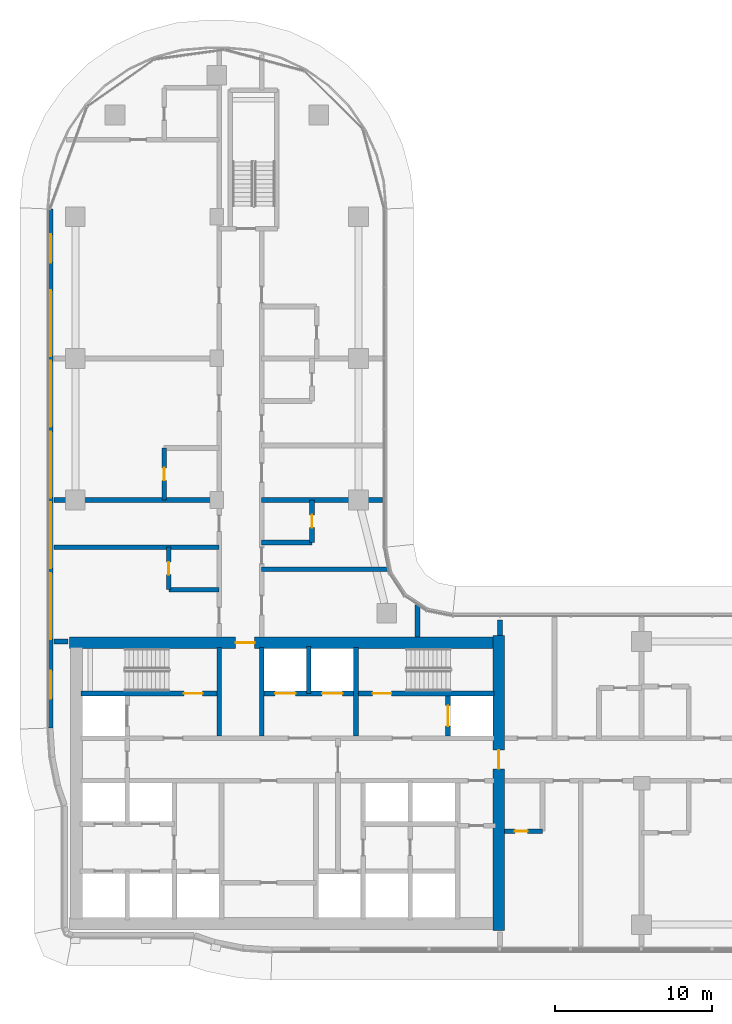
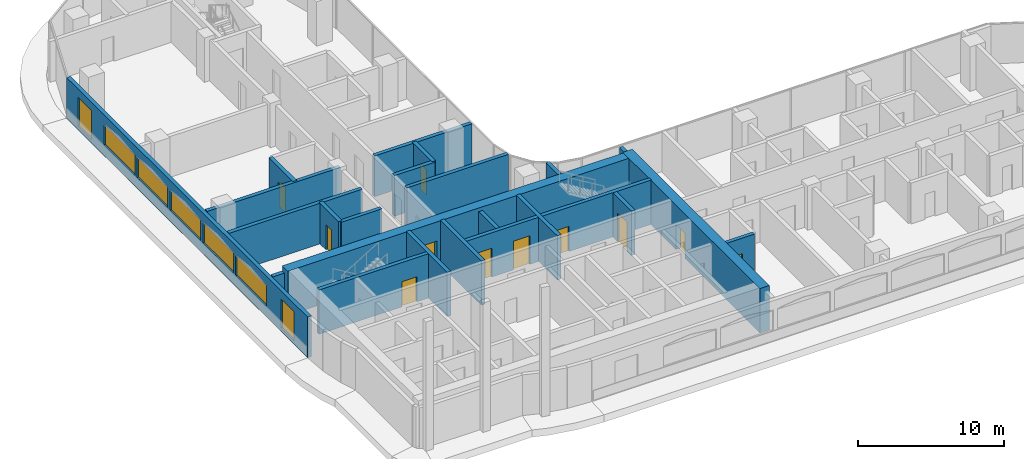
# One storey, part 10 of 25: 23 walls, 11 doors, 7 windows, 18 openings.
"""IFC4 building model written with IfcOpenShell, lengths in metres."""

import ifcopenshell
import ifcopenshell.guid

model = None  # the IFC model being written
_history = None  # IfcOwnerHistory: only IFC2X3 demands one
_inside = {}  # id of a spatial element -> (the spatial element, [elements in it])
_under = {}  # id of a project, library or spatial element -> (it, [spatial elements below it])
_declared = {}  # id of a project -> (the project, [libraries it declares])
_typed = {}  # id of a type object -> (the type object, [elements of that type])
_made_of = {}  # id of a material, layer set ... -> (it, [elements and type objects made of it])


def new_model(schema):
    """Start an empty IFC model of exactly this schema.

    Asked for "IFC4X3", IfcOpenShell would pick the latest addendum, in which some entities
    have other attributes; the version numbers below select the first issue.
    IFC2X3 requires an IfcOwnerHistory on every rooted entity: one is made here for all.
    """
    global model, _history
    if schema == "IFC4X3":
        model = ifcopenshell.file(schema_version=(4, 3, 0, 0))
    else:
        model = ifcopenshell.file(schema=schema)
    _inside.clear()
    _under.clear()
    _declared.clear()
    _typed.clear()
    _made_of.clear()
    _history = None
    if model.schema == "IFC2X3":
        org = make("IfcOrganization", Name="unknown")
        user = make(
            "IfcPersonAndOrganization",
            ThePerson=make("IfcPerson", FamilyName="unknown"),
            TheOrganization=org,
        )
        app = make(
            "IfcApplication",
            ApplicationDeveloper=org,
            Version="unknown",
            ApplicationFullName="unknown",
            ApplicationIdentifier="unknown",
        )
        _history = make(
            "IfcOwnerHistory",
            OwningUser=user,
            OwningApplication=app,
            ChangeAction="ADDED",
            CreationDate=0,
        )
    return model


def make(cls, **values):
    """One entity of the class cls with the attributes given. An attribute that is None is left unset."""
    return model.create_entity(
        cls, **{name: value for name, value in values.items() if value is not None}
    )


def rooted(cls, **values):
    """An entity with a GlobalId (a new one), such as an element, a storey or a relation."""
    return make(cls, GlobalId=ifcopenshell.guid.new(), OwnerHistory=_history, **values)


def si_unit(unit_type, name, prefix=None):
    """IfcSIUnit, for example si_unit("LENGTHUNIT", "METRE", prefix="MILLI")."""
    return make("IfcSIUnit", UnitType=unit_type, Prefix=prefix, Name=name)


def assignment(units):
    """IfcUnitAssignment: the units of a project."""
    return None if units is None else make("IfcUnitAssignment", Units=units)


def point(xyz):
    """IfcCartesianPoint."""
    return None if xyz is None else make("IfcCartesianPoint", Coordinates=xyz)


def direction(xyz):
    """IfcDirection."""
    return None if xyz is None else make("IfcDirection", DirectionRatios=xyz)


def frame(location, z_axis=None, x_axis=None):
    """IfcAxis2Placement3D, a coordinate frame: its origin and axes. An axis left out is left unset."""
    return make(
        "IfcAxis2Placement3D",
        Location=point(location),
        Axis=direction(z_axis),
        RefDirection=direction(x_axis),
    )


def frame_2d(location, x_axis=None):
    """IfcAxis2Placement2D, a coordinate frame in the plane: its origin and x axis."""
    return make(
        "IfcAxis2Placement2D", Location=point(location), RefDirection=direction(x_axis)
    )


def origin():
    """The frame at (0, 0, 0) with its axes left unset."""
    return frame((0.0, 0.0, 0.0))


def place(relative_to, where):
    """IfcLocalPlacement: puts the frame where relative to a parent placement (None: the world)."""
    return make(
        "IfcLocalPlacement", PlacementRelTo=relative_to, RelativePlacement=where
    )


def context(
    kind, dimensions, precision=None, world=None, true_north=None, identifier=None
):
    """IfcGeometricRepresentationContext, for example the 3D "Model" context."""
    return make(
        "IfcGeometricRepresentationContext",
        ContextIdentifier=identifier,
        ContextType=kind,
        CoordinateSpaceDimension=dimensions,
        Precision=precision,
        WorldCoordinateSystem=world,
        TrueNorth=true_north,
    )


def subcontext(parent, identifier, kind, view, scale=None):
    """IfcGeometricRepresentationSubContext, for example "Body" below "Model"."""
    return make(
        "IfcGeometricRepresentationSubContext",
        ContextIdentifier=identifier,
        ContextType=kind,
        ParentContext=parent,
        TargetScale=scale,
        TargetView=view,
    )


def project(units=None, contexts=None):
    """IfcProject with its units and contexts."""
    return rooted(
        "IfcProject",
        Name="project",
        RepresentationContexts=contexts,
        UnitsInContext=assignment(units),
    )


def spatial(cls, under=None, at=None, **own):
    """A site, building, storey or space (cls), placed at a placement, below another one or the project."""
    s = rooted(cls, ObjectPlacement=at, **own)
    if under is not None:
        _under.setdefault(under.id(), (under, []))[1].append(s)
    return s


def profile(cls, at=None, kind="AREA", **sizes):
    """A parametric profile (cls). Its sizes go by their IFC names, for example OverallWidth=200.0."""
    return make(cls, ProfileType=kind, Position=at, **sizes)


def rectangle(**sizes):
    """IfcRectangleProfileDef."""
    return profile("IfcRectangleProfileDef", **sizes)


def extrude(swept, where, along, depth):
    """IfcExtrudedAreaSolid: the profile swept, set in the frame where, extruded along a direction by depth."""
    return make(
        "IfcExtrudedAreaSolid",
        SweptArea=swept,
        Position=where,
        ExtrudedDirection=direction(along),
        Depth=depth,
    )


def shape(context_of_items, identifier, shape_type, items):
    """IfcShapeRepresentation: the items that make up one representation, for example the "Body"."""
    return make(
        "IfcShapeRepresentation",
        ContextOfItems=context_of_items,
        RepresentationIdentifier=identifier,
        RepresentationType=shape_type,
        Items=items,
    )


def material(Name=None, Category=None):
    """IfcMaterial."""
    return make("IfcMaterial", Name=Name, Category=Category)


def layer(
    of_material, thickness, ventilated=None, Name=None, Category=None, Priority=None
):
    """IfcMaterialLayer: one layer of a wall or slab, of a material (None: an air gap)."""
    return make(
        "IfcMaterialLayer",
        Material=of_material,
        LayerThickness=thickness,
        IsVentilated=ventilated,
        Name=Name,
        Category=Category,
        Priority=Priority,
    )


def layer_set(layers, Name=None):
    """IfcMaterialLayerSet."""
    return make("IfcMaterialLayerSet", MaterialLayers=layers, LayerSetName=Name)


def made_of(thing, what):
    """Note that an element or type object is made of a material, layer set ...; save() writes the relation."""
    if what is not None:
        _made_of.setdefault(what.id(), (what, []))[1].append(thing)
    return thing


def type_object(cls, material=None, **own):
    """A type object (cls), such as IfcWallType, which elements share."""
    return made_of(rooted(cls, **own), material)


def element(
    cls,
    number,
    at=None,
    inside=None,
    cuts=None,
    type_object=None,
    material=None,
    context=None,
    identifier="Body",
    shape_type=None,
    held_by="IfcProductDefinitionShape",
    body=None,
    shapes=None,
    **own,
):
    """One element of the class cls, such as IfcWall. Its Tag is "e" and its number.

    at: its placement. inside: the storey or other place that contains it. cuts: it is an
    opening in that element (IfcRelVoidsElement). A single representation is given by context,
    identifier, shape_type and body (its items); several are given by shapes. held_by: the class
    of the entity that holds the representations. save() writes the other relations.
    """
    e = rooted(cls, Tag="e%d" % number, ObjectPlacement=at, **own)
    if body is not None:
        shapes = [shape(context, identifier, shape_type, body)]
    if shapes is not None:
        e.Representation = make(held_by, Representations=shapes)
    if inside is not None:
        _inside.setdefault(inside.id(), (inside, []))[1].append(e)
    if cuts is not None:
        rooted(
            "IfcRelVoidsElement", RelatingBuildingElement=cuts, RelatedOpeningElement=e
        )
    if type_object is not None:
        _typed.setdefault(type_object.id(), (type_object, []))[1].append(e)
    return made_of(e, material)


def fill(opening, filler):
    """IfcRelFillsElement: the door or window that sits in an opening."""
    return rooted(
        "IfcRelFillsElement",
        RelatingOpeningElement=opening,
        RelatedBuildingElement=filler,
    )


def aggregate(whole, parts):
    """IfcRelAggregates: a whole, such as a stair, and the parts it consists of."""
    return rooted("IfcRelAggregates", RelatingObject=whole, RelatedObjects=parts)


def save(model, path):
    """Write the relations noted so far, then the file.

    IfcRelAggregates (storeys below a building ...), IfcRelContainedInSpatialStructure (elements
    in a storey), IfcRelDefinesByType, IfcRelAssociatesMaterial and IfcRelDeclares: one each for
    every whole, place, type object, material and project.
    """
    for whole, parts in _under.values():
        aggregate(whole, parts)
    for where, things in _inside.values():
        rooted(
            "IfcRelContainedInSpatialStructure",
            RelatedElements=things,
            RelatingStructure=where,
        )
    for kind, things in _typed.values():
        rooted("IfcRelDefinesByType", RelatedObjects=things, RelatingType=kind)
    for what, things in _made_of.values():
        rooted("IfcRelAssociatesMaterial", RelatedObjects=things, RelatingMaterial=what)
    for by, libraries in _declared.values():
        rooted("IfcRelDeclares", RelatingContext=by, RelatedDefinitions=libraries)
    model.write(path)


model = new_model("IFC4")

# Units and contexts
model_context = context("Model", 3, precision=1e-05, world=origin(), true_north=direction((0.0, 1.0)))
body_context = subcontext(model_context, "Body", "Model", "MODEL_VIEW")
ifc_project = project(units=[si_unit("LENGTHUNIT", "METRE"), si_unit("AREAUNIT", "SQUARE_METRE"), si_unit("VOLUMEUNIT", "CUBIC_METRE"), si_unit("PLANEANGLEUNIT", "RADIAN"), si_unit("MASSUNIT", "GRAM", prefix="KILO")], contexts=[model_context])

# Site, building, storey
site_placement = place(None, origin())
site = spatial("IfcSite", under=ifc_project, at=site_placement, CompositionType="ELEMENT")
building_placement = place(site_placement, origin())
building = spatial("IfcBuilding", under=site, at=building_placement, Name="Ogive Portal Towers", CompositionType="ELEMENT")
storey_placement = place(building_placement, frame((0.0, 0.0, 124.10009765625)))
storey = spatial("IfcBuildingStorey", under=building, at=storey_placement, Name="L30", CompositionType="ELEMENT", Elevation=124.10009765625)

# Wall, opening, door
ifc_material_1 = material(Name="Concrete C60/75", Category="concrete")
ifc_layer_1 = layer(ifc_material_1, 0.300048828125)
ifc_layer_set_1 = layer_set([ifc_layer_1], Name="CORE WALL 300 C60")
wall_type_1 = type_object("IfcWallType", Name="CORE WALL 300 C60", PredefinedType="SHEAR", material=ifc_layer_set_1)
wall_1_placement = place(storey_placement, frame((31.875, 36.199951171875, 0.0), z_axis=(0.0, 0.0, 1.0), x_axis=(1.0, 0.0, 0.0)))
wall_1 = element("IfcWall", 1, at=wall_1_placement, inside=storey, type_object=wall_type_1, Name="Core wall Y3a L30", PredefinedType="SHEAR", context=body_context, shape_type="SweptSolid", body=[
    extrude(rectangle(XDim=8.625, YDim=0.300048828125, at=frame_2d((4.3125, 0.0))), origin(), (0.0, 0.0, 1.0), 3.699951171875),
])
opening_1_placement = place(wall_1_placement, frame((6.52490234375, 0.0, 0.0)))
opening_1 = element("IfcOpeningElement", 2, at=opening_1_placement, cuts=wall_1, Name="Opening D11-006", PredefinedType="OPENING", context=body_context, shape_type="SweptSolid", body=[
    extrude(rectangle(XDim=1.199951171875, YDim=2.10009765625, at=frame_2d((0.60009765625, 1.050048828125))), frame((0.0, 0.16015625, 0.0), z_axis=(0.0, -1.0, 0.0), x_axis=(1.0, 0.0, 0.0)), (0.0, 0.0, 1.0), 0.320068359375),
])
ifc_material_2 = material(Name="Steel fire door", Category="steel")
door_type_1 = type_object("IfcDoorType", Name="DT-SWING-1200x2100-FD90S", OperationType="SINGLE_SWING_LEFT", PredefinedType="DOOR", material=ifc_material_2)
door_1_placement = place(opening_1_placement, origin())
door_1 = element("IfcDoor", 3, at=door_1_placement, inside=storey, type_object=door_type_1, Name="Door D11-006", OperationType="SINGLE_SWING_RIGHT", OverallHeight=2.10009765625, OverallWidth=1.199951171875, PredefinedType="DOOR", context=body_context, shape_type="SweptSolid", body=[
    extrude(rectangle(XDim=1.199951171875, YDim=2.10009765625, at=frame_2d((0.60009765625, 1.050048828125))), frame((0.0, 0.02490234375, 0.0), z_axis=(0.0, -1.0, 0.0), x_axis=(1.0, 0.0, 0.0)), (0.0, 0.0, 1.0), 0.050048828125),
])
fill(opening_1, door_1)

# Wall, openings, doors
wall_2_placement = place(storey_placement, frame((43.5, 36.199951171875, 0.0), z_axis=(0.0, 0.0, 1.0), x_axis=(1.0, 0.0, 0.0)))
wall_2 = element("IfcWall", 4, at=wall_2_placement, inside=storey, type_object=wall_type_1, Name="Core wall Y3b L30", PredefinedType="SHEAR", context=body_context, shape_type="SweptSolid", body=[
    extrude(rectangle(XDim=14.625, YDim=0.300048828125, at=frame_2d((7.3125, 0.0))), origin(), (0.0, 0.0, 1.0), 3.699951171875),
])
opening_2_placement = place(wall_2_placement, frame((6.89990234375, 0.0, 0.0)))
opening_2 = element("IfcOpeningElement", 5, at=opening_2_placement, cuts=wall_2, Name="Opening D11-007", PredefinedType="OPENING", context=body_context, shape_type="SweptSolid", body=[
    extrude(rectangle(XDim=1.199951171875, YDim=2.10009765625, at=frame_2d((0.60009765625, 1.050048828125))), frame((0.0, 0.16015625, 0.0), z_axis=(0.0, -1.0, 0.0), x_axis=(1.0, 0.0, 0.0)), (0.0, 0.0, 1.0), 0.320068359375),
])
opening_3_placement = place(wall_2_placement, frame((0.699951171875, 0.0, 0.0)))
opening_3 = element("IfcOpeningElement", 6, at=opening_3_placement, cuts=wall_2, Name="Opening D11-018", PredefinedType="OPENING", context=body_context, shape_type="SweptSolid", body=[
    extrude(rectangle(XDim=1.300048828125, YDim=2.39990234375, at=frame_2d((0.64990234375, 1.199951171875))), frame((0.0, 0.16015625, 0.0), z_axis=(0.0, -1.0, 0.0), x_axis=(1.0, 0.0, 0.0)), (0.0, 0.0, 1.0), 0.320068359375),
])
opening_4_placement = place(wall_2_placement, frame((3.699951171875, 0.0, 0.0)))
opening_4 = element("IfcOpeningElement", 7, at=opening_4_placement, cuts=wall_2, Name="Opening D11-019", PredefinedType="OPENING", context=body_context, shape_type="SweptSolid", body=[
    extrude(rectangle(XDim=1.300048828125, YDim=2.39990234375, at=frame_2d((0.64990234375, 1.199951171875))), frame((0.0, 0.16015625, 0.0), z_axis=(0.0, -1.0, 0.0), x_axis=(1.0, 0.0, 0.0)), (0.0, 0.0, 1.0), 0.320068359375),
])
ifc_material_3 = material(Name="Stainless steel", Category="steel")
door_type_2 = type_object("IfcDoorType", Name="DT-LD-1300x2400", OperationType="SLIDING_TO_LEFT", PredefinedType="DOOR", material=ifc_material_3)
door_2_placement = place(opening_3_placement, origin())
door_2 = element("IfcDoor", 8, at=door_2_placement, inside=storey, type_object=door_type_2, Name="Door D11-018", OperationType="SLIDING_TO_LEFT", OverallHeight=2.39990234375, OverallWidth=1.300048828125, PredefinedType="DOOR", context=body_context, shape_type="SweptSolid", body=[
    extrude(rectangle(XDim=1.300048828125, YDim=2.39990234375, at=frame_2d((0.64990234375, 1.199951171875))), frame((0.0, 0.02490234375, 0.0), z_axis=(0.0, -1.0, 0.0), x_axis=(1.0, 0.0, 0.0)), (0.0, 0.0, 1.0), 0.050048828125),
])
fill(opening_3, door_2)
door_3_placement = place(opening_4_placement, origin())
door_3 = element("IfcDoor", 9, at=door_3_placement, inside=storey, type_object=door_type_2, Name="Door D11-019", OperationType="SLIDING_TO_LEFT", OverallHeight=2.39990234375, OverallWidth=1.300048828125, PredefinedType="DOOR", context=body_context, shape_type="SweptSolid", body=[
    extrude(rectangle(XDim=1.300048828125, YDim=2.39990234375, at=frame_2d((0.64990234375, 1.199951171875))), frame((0.0, 0.02490234375, 0.0), z_axis=(0.0, -1.0, 0.0), x_axis=(1.0, 0.0, 0.0)), (0.0, 0.0, 1.0), 0.050048828125),
])
fill(opening_4, door_3)
door_4_placement = place(opening_2_placement, origin())
door_4 = element("IfcDoor", 10, at=door_4_placement, inside=storey, type_object=door_type_1, Name="Door D11-007", OperationType="SINGLE_SWING_LEFT", OverallHeight=2.10009765625, OverallWidth=1.199951171875, PredefinedType="DOOR", context=body_context, shape_type="SweptSolid", body=[
    extrude(rectangle(XDim=1.199951171875, YDim=2.10009765625, at=frame_2d((0.60009765625, 1.050048828125))), frame((0.0, 0.02490234375, 0.0), z_axis=(0.0, -1.0, 0.0), x_axis=(1.0, 0.0, 0.0)), (0.0, 0.0, 1.0), 0.050048828125),
])
fill(opening_2, door_4)

# Walls
for number, where, z_axis, x_axis, name in (
    (11, (40.64990234375, 33.5, 0.0), (0.0, 0.0, 1.0), (0.0, 1.0, 0.0), "Core wall X6 L30"),
    (12, (43.35009765625, 33.5, 0.0), (0.0, 0.0, 1.0), (0.0, 1.0, 0.0), "Core wall X7 L30"),
    (13, (49.35009765625, 33.5, 0.0), (0.0, 0.0, 1.0), (0.0, 1.0, 0.0), "Core wall X9 L30"),
):
    element("IfcWall", number, at=place(storey_placement, frame(where, z_axis=z_axis, x_axis=x_axis)), inside=storey, type_object=wall_type_1, Name=name, PredefinedType="SHEAR", context=body_context, shape_type="SweptSolid", body=[
        extrude(rectangle(XDim=5.625, YDim=0.300048828125, at=frame_2d((2.8125, 0.0))), origin(), (0.0, 0.0, 1.0), 3.699951171875),
    ])

# Wall, opening, door
wall_3_placement = place(storey_placement, frame((55.199951171875, 33.5, 0.0), z_axis=(0.0, 0.0, 1.0), x_axis=(0.0, 1.0, 0.0)))
wall_3 = element("IfcWall", 14, at=wall_3_placement, inside=storey, type_object=wall_type_1, Name="Core wall X10 L30", PredefinedType="SHEAR", context=body_context, shape_type="SweptSolid", body=[
    extrude(rectangle(XDim=2.550048828125, YDim=0.300048828125, at=frame_2d((1.27490234375, 0.0))), origin(), (0.0, 0.0, 1.0), 3.699951171875),
])
opening_5_placement = place(wall_3_placement, frame((0.625, 0.0, 0.0)))
opening_5 = element("IfcOpeningElement", 15, at=opening_5_placement, cuts=wall_3, Name="Opening D11-021", PredefinedType="OPENING", context=body_context, shape_type="SweptSolid", body=[
    extrude(rectangle(XDim=1.300048828125, YDim=2.39990234375, at=frame_2d((0.64990234375, 1.199951171875))), frame((0.0, 0.16015625, 0.0), z_axis=(0.0, -1.0, 0.0), x_axis=(1.0, 0.0, 0.0)), (0.0, 0.0, 1.0), 0.320068359375),
])
door_5_placement = place(opening_5_placement, origin())
door_5 = element("IfcDoor", 16, at=door_5_placement, inside=storey, type_object=door_type_2, Name="Door D11-021", OperationType="SLIDING_TO_LEFT", OverallHeight=2.39990234375, OverallWidth=1.300048828125, PredefinedType="DOOR", context=body_context, shape_type="SweptSolid", body=[
    extrude(rectangle(XDim=1.300048828125, YDim=2.39990234375, at=frame_2d((0.64990234375, 1.199951171875))), frame((0.0, 0.02490234375, 0.0), z_axis=(0.0, -1.0, 0.0), x_axis=(1.0, 0.0, 0.0)), (0.0, 0.0, 1.0), 0.050048828125),
])
fill(opening_5, door_5)

ifc_layer_2 = layer(ifc_material_1, 0.75)
ifc_layer_set_2 = layer_set([ifc_layer_2], Name="CORE WALL 750 C60")
wall_type_2 = type_object("IfcWallType", Name="CORE WALL 750 C60", PredefinedType="SHEAR", material=ifc_layer_set_2)
wall_4_placement = place(storey_placement, frame((58.425048828125, 21.125, 0.0), z_axis=(0.0, 0.0, 1.0), x_axis=(0.0, 1.0, 0.0)))
wall_4 = element("IfcWall", 17, at=wall_4_placement, inside=storey, type_object=wall_type_2, Name="Core wall E L30", PredefinedType="SHEAR", context=body_context, shape_type="SweptSolid", body=[
    extrude(rectangle(XDim=18.75, YDim=0.75, at=frame_2d((9.375, 0.0))), origin(), (0.0, 0.0, 1.0), 3.699951171875),
])
opening_6_placement = place(wall_4_placement, frame((10.27490234375, 0.0, 0.0)))
opening_6 = element("IfcOpeningElement", 18, at=opening_6_placement, cuts=wall_4, Name="Opening D11-012", PredefinedType="OPENING", context=body_context, shape_type="SweptSolid", body=[
    extrude(rectangle(XDim=1.199951171875, YDim=2.10009765625, at=frame_2d((0.60009765625, 1.050048828125))), frame((0.0, 0.385009765625, 0.0), z_axis=(0.0, -1.0, 0.0), x_axis=(1.0, 0.0, 0.0)), (0.0, 0.0, 1.0), 0.77001953125),
])
door_6_placement = place(opening_6_placement, origin())
door_6 = element("IfcDoor", 19, at=door_6_placement, inside=storey, type_object=door_type_1, Name="Door D11-012", OperationType="SINGLE_SWING_LEFT", OverallHeight=2.10009765625, OverallWidth=1.199951171875, PredefinedType="DOOR", context=body_context, shape_type="SweptSolid", body=[
    extrude(rectangle(XDim=1.199951171875, YDim=2.10009765625, at=frame_2d((0.60009765625, 1.050048828125))), frame((0.0, 0.02490234375, 0.0), z_axis=(0.0, -1.0, 0.0), x_axis=(1.0, 0.0, 0.0)), (0.0, 0.0, 1.0), 0.050048828125),
])
fill(opening_6, door_6)

wall_5_placement = place(storey_placement, frame((31.125, 39.425048828125, 0.0), z_axis=(0.0, 0.0, 1.0), x_axis=(1.0, 0.0, 0.0)))
wall_5 = element("IfcWall", 20, at=wall_5_placement, inside=storey, type_object=wall_type_2, Name="Core wall N L30", PredefinedType="SHEAR", context=body_context, shape_type="SweptSolid", body=[
    extrude(rectangle(XDim=27.0, YDim=0.75, at=frame_2d((13.5, 0.0))), origin(), (0.0, 0.0, 1.0), 3.699951171875),
])
opening_7_placement = place(wall_5_placement, frame((10.574951171875, 0.0, 0.0)))
opening_7 = element("IfcOpeningElement", 21, at=opening_7_placement, cuts=wall_5, Name="Opening D11-013", PredefinedType="OPENING", context=body_context, shape_type="SweptSolid", body=[
    extrude(rectangle(XDim=1.199951171875, YDim=2.10009765625, at=frame_2d((0.60009765625, 1.050048828125))), frame((0.0, 0.385009765625, 0.0), z_axis=(0.0, -1.0, 0.0), x_axis=(1.0, 0.0, 0.0)), (0.0, 0.0, 1.0), 0.77001953125),
])
door_7_placement = place(opening_7_placement, origin())
door_7 = element("IfcDoor", 22, at=door_7_placement, inside=storey, type_object=door_type_1, Name="Door D11-013", OperationType="SINGLE_SWING_RIGHT", OverallHeight=2.10009765625, OverallWidth=1.199951171875, PredefinedType="DOOR", context=body_context, shape_type="SweptSolid", body=[
    extrude(rectangle(XDim=1.199951171875, YDim=2.10009765625, at=frame_2d((0.60009765625, 1.050048828125))), frame((0.0, 0.02490234375, 0.0), z_axis=(0.0, -1.0, 0.0), x_axis=(1.0, 0.0, 0.0)), (0.0, 0.0, 1.0), 0.050048828125),
])
fill(opening_7, door_7)

# Wall, openings, windows
ifc_material_4 = material(Name="Limestone cladding on lightweight block wall", Category="masonry")
ifc_layer_3 = layer(ifc_material_4, 0.300048828125)
ifc_layer_set_3 = layer_set([ifc_layer_3], Name="EXTERNAL WALL 300 STONE")
wall_type_3 = type_object("IfcWallType", Name="EXTERNAL WALL 300 STONE", PredefinedType="SOLIDWALL", material=ifc_layer_set_3)
wall_6_placement = place(storey_placement, frame((29.93505859375, 66.98583984375, 0.0), z_axis=(0.0, 0.0, 1.0), x_axis=(0.0, -1.0, 0.0)))
wall_6 = element("IfcWall", 23, at=wall_6_placement, inside=storey, type_object=wall_type_3, Name="A:L30:f25:r0:wall", PredefinedType="SOLIDWALL", context=body_context, shape_type="SweptSolid", body=[
    extrude(rectangle(XDim=32.97607421875, YDim=0.300048828125, at=frame_2d((16.488037109375, 0.0))), origin(), (0.0, 0.0, 1.0), 3.39990234375),
])
opening_8_placement = place(wall_6_placement, frame((1.593017578125, 0.0, 0.300048828125)))
opening_8 = element("IfcOpeningElement", 24, at=opening_8_placement, cuts=wall_6, Name="Opening WN10", PredefinedType="OPENING", context=body_context, shape_type="SweptSolid", body=[
    extrude(rectangle(XDim=1.800048828125, YDim=2.39990234375, at=frame_2d((0.89990234375, 1.199951171875))), frame((0.0, 0.16015625, 0.0), z_axis=(0.0, -1.0, 0.0), x_axis=(1.0, 0.0, 0.0)), (0.0, 0.0, 1.0), 0.320068359375),
])
opening_9_placement = place(wall_6_placement, frame((5.135986328125, 0.0, 0.89990234375)))
opening_9 = element("IfcOpeningElement", 25, at=opening_9_placement, cuts=wall_6, Name="Opening WN13", PredefinedType="OPENING", context=body_context, shape_type="SweptSolid", body=[
    extrude(rectangle(XDim=4.199951171875, YDim=1.699951171875, at=frame_2d((2.10009765625, 0.85009765625))), frame((0.0, 0.16015625, 0.0), z_axis=(0.0, -1.0, 0.0), x_axis=(1.0, 0.0, 0.0)), (0.0, 0.0, 1.0), 0.320068359375),
])
opening_10_placement = place(wall_6_placement, frame((9.635986328125, 0.0, 0.89990234375)))
opening_10 = element("IfcOpeningElement", 26, at=opening_10_placement, cuts=wall_6, Name="Opening WN13", PredefinedType="OPENING", context=body_context, shape_type="SweptSolid", body=[
    extrude(rectangle(XDim=4.199951171875, YDim=1.699951171875, at=frame_2d((2.10009765625, 0.85009765625))), frame((0.0, 0.16015625, 0.0), z_axis=(0.0, -1.0, 0.0), x_axis=(1.0, 0.0, 0.0)), (0.0, 0.0, 1.0), 0.320068359375),
])
opening_11_placement = place(wall_6_placement, frame((14.135986328125, 0.0, 0.89990234375)))
opening_11 = element("IfcOpeningElement", 27, at=opening_11_placement, cuts=wall_6, Name="Opening WN13", PredefinedType="OPENING", context=body_context, shape_type="SweptSolid", body=[
    extrude(rectangle(XDim=4.199951171875, YDim=1.699951171875, at=frame_2d((2.10009765625, 0.85009765625))), frame((0.0, 0.16015625, 0.0), z_axis=(0.0, -1.0, 0.0), x_axis=(1.0, 0.0, 0.0)), (0.0, 0.0, 1.0), 0.320068359375),
])
opening_12_placement = place(wall_6_placement, frame((18.635986328125, 0.0, 0.89990234375)))
opening_12 = element("IfcOpeningElement", 28, at=opening_12_placement, cuts=wall_6, Name="Opening WN13", PredefinedType="OPENING", context=body_context, shape_type="SweptSolid", body=[
    extrude(rectangle(XDim=4.199951171875, YDim=1.699951171875, at=frame_2d((2.10009765625, 0.85009765625))), frame((0.0, 0.16015625, 0.0), z_axis=(0.0, -1.0, 0.0), x_axis=(1.0, 0.0, 0.0)), (0.0, 0.0, 1.0), 0.320068359375),
])
opening_13_placement = place(wall_6_placement, frame((23.135986328125, 0.0, 0.89990234375)))
opening_13 = element("IfcOpeningElement", 29, at=opening_13_placement, cuts=wall_6, Name="Opening WN13", PredefinedType="OPENING", context=body_context, shape_type="SweptSolid", body=[
    extrude(rectangle(XDim=4.199951171875, YDim=1.699951171875, at=frame_2d((2.10009765625, 0.85009765625))), frame((0.0, 0.16015625, 0.0), z_axis=(0.0, -1.0, 0.0), x_axis=(1.0, 0.0, 0.0)), (0.0, 0.0, 1.0), 0.320068359375),
])
opening_14_placement = place(wall_6_placement, frame((29.3310546875, 0.0, 0.300048828125)))
opening_14 = element("IfcOpeningElement", 30, at=opening_14_placement, cuts=wall_6, Name="Opening WN10", PredefinedType="OPENING", context=body_context, shape_type="SweptSolid", body=[
    extrude(rectangle(XDim=1.800048828125, YDim=2.39990234375, at=frame_2d((0.89990234375, 1.199951171875))), frame((0.0, 0.16015625, 0.0), z_axis=(0.0, -1.0, 0.0), x_axis=(1.0, 0.0, 0.0)), (0.0, 0.0, 1.0), 0.320068359375),
])
ifc_material_5 = material(Name="Glass, clear low-iron insulated glazing", Category="glass")
window_type_1 = type_object("IfcWindowType", Name="WINDOW RIBBON LANCET 4200x1700", PartitioningType="TRIPLE_PANEL_VERTICAL", PredefinedType="WINDOW", material=ifc_material_5)
window_1_placement = place(opening_9_placement, origin())
window_1 = element("IfcWindow", 31, at=window_1_placement, inside=storey, type_object=window_type_1, Name="A:L30:f25:r0:w1", OverallHeight=1.699951171875, OverallWidth=4.199951171875, PartitioningType="SINGLE_PANEL", PredefinedType="WINDOW", context=body_context, shape_type="SweptSolid", body=[
    extrude(rectangle(XDim=4.199951171875, YDim=1.699951171875, at=frame_2d((2.10009765625, 0.85009765625))), frame((0.0, 0.030029296875, 0.0), z_axis=(0.0, -1.0, 0.0), x_axis=(1.0, 0.0, 0.0)), (0.0, 0.0, 1.0), 0.06005859375),
])
fill(opening_9, window_1)
window_2_placement = place(opening_10_placement, origin())
window_2 = element("IfcWindow", 32, at=window_2_placement, inside=storey, type_object=window_type_1, Name="A:L30:f25:r0:w2", OverallHeight=1.699951171875, OverallWidth=4.199951171875, PartitioningType="SINGLE_PANEL", PredefinedType="WINDOW", context=body_context, shape_type="SweptSolid", body=[
    extrude(rectangle(XDim=4.199951171875, YDim=1.699951171875, at=frame_2d((2.10009765625, 0.85009765625))), frame((0.0, 0.030029296875, 0.0), z_axis=(0.0, -1.0, 0.0), x_axis=(1.0, 0.0, 0.0)), (0.0, 0.0, 1.0), 0.06005859375),
])
fill(opening_10, window_2)
window_3_placement = place(opening_11_placement, origin())
window_3 = element("IfcWindow", 33, at=window_3_placement, inside=storey, type_object=window_type_1, Name="A:L30:f25:r0:w3", OverallHeight=1.699951171875, OverallWidth=4.199951171875, PartitioningType="SINGLE_PANEL", PredefinedType="WINDOW", context=body_context, shape_type="SweptSolid", body=[
    extrude(rectangle(XDim=4.199951171875, YDim=1.699951171875, at=frame_2d((2.10009765625, 0.85009765625))), frame((0.0, 0.030029296875, 0.0), z_axis=(0.0, -1.0, 0.0), x_axis=(1.0, 0.0, 0.0)), (0.0, 0.0, 1.0), 0.06005859375),
])
fill(opening_11, window_3)
window_4_placement = place(opening_12_placement, origin())
window_4 = element("IfcWindow", 34, at=window_4_placement, inside=storey, type_object=window_type_1, Name="A:L30:f25:r0:w4", OverallHeight=1.699951171875, OverallWidth=4.199951171875, PartitioningType="SINGLE_PANEL", PredefinedType="WINDOW", context=body_context, shape_type="SweptSolid", body=[
    extrude(rectangle(XDim=4.199951171875, YDim=1.699951171875, at=frame_2d((2.10009765625, 0.85009765625))), frame((0.0, 0.030029296875, 0.0), z_axis=(0.0, -1.0, 0.0), x_axis=(1.0, 0.0, 0.0)), (0.0, 0.0, 1.0), 0.06005859375),
])
fill(opening_12, window_4)
window_5_placement = place(opening_13_placement, origin())
window_5 = element("IfcWindow", 35, at=window_5_placement, inside=storey, type_object=window_type_1, Name="A:L30:f25:r0:w5", OverallHeight=1.699951171875, OverallWidth=4.199951171875, PartitioningType="SINGLE_PANEL", PredefinedType="WINDOW", context=body_context, shape_type="SweptSolid", body=[
    extrude(rectangle(XDim=4.199951171875, YDim=1.699951171875, at=frame_2d((2.10009765625, 0.85009765625))), frame((0.0, 0.030029296875, 0.0), z_axis=(0.0, -1.0, 0.0), x_axis=(1.0, 0.0, 0.0)), (0.0, 0.0, 1.0), 0.06005859375),
])
fill(opening_13, window_5)
window_type_2 = type_object("IfcWindowType", Name="WINDOW SUITE CORNER 1800x2400", PartitioningType="DOUBLE_PANEL_VERTICAL", PredefinedType="WINDOW", material=ifc_material_5)
window_6_placement = place(opening_8_placement, origin())
window_6 = element("IfcWindow", 36, at=window_6_placement, inside=storey, type_object=window_type_2, Name="A:L30:f25:r0:w0", OverallHeight=2.39990234375, OverallWidth=1.800048828125, PartitioningType="SINGLE_PANEL", PredefinedType="WINDOW", context=body_context, shape_type="SweptSolid", body=[
    extrude(rectangle(XDim=1.800048828125, YDim=2.39990234375, at=frame_2d((0.89990234375, 1.199951171875))), frame((0.0, 0.030029296875, 0.0), z_axis=(0.0, -1.0, 0.0), x_axis=(1.0, 0.0, 0.0)), (0.0, 0.0, 1.0), 0.06005859375),
])
fill(opening_8, window_6)
window_7_placement = place(opening_14_placement, origin())
window_7 = element("IfcWindow", 37, at=window_7_placement, inside=storey, type_object=window_type_2, Name="A:L30:f25:r0:w6", OverallHeight=2.39990234375, OverallWidth=1.800048828125, PartitioningType="SINGLE_PANEL", PredefinedType="WINDOW", context=body_context, shape_type="SweptSolid", body=[
    extrude(rectangle(XDim=1.800048828125, YDim=2.39990234375, at=frame_2d((0.89990234375, 1.199951171875))), frame((0.0, 0.030029296875, 0.0), z_axis=(0.0, -1.0, 0.0), x_axis=(1.0, 0.0, 0.0)), (0.0, 0.0, 1.0), 0.06005859375),
])
fill(opening_14, window_7)

# Wall, opening, door
ifc_material_6 = material(Name="Gypsum board partition on steel studs", Category="steel")
ifc_layer_4 = layer(ifc_material_6, 0.300048828125)
ifc_layer_set_4 = layer_set([ifc_layer_4], Name="WT-PART-300-EI 60")
wall_type_4 = type_object("IfcWallType", Name="WT-PART-300-EI 60", PredefinedType="PARTITIONING", material=ifc_layer_set_4)
wall_7_placement = place(storey_placement, frame((58.800048828125, 27.449951171875, 0.0), z_axis=(0.0, 0.0, 1.0), x_axis=(1.0, 0.0, 0.0)))
wall_7 = element("IfcWall", 38, at=wall_7_placement, inside=storey, type_object=wall_type_4, Name="Wall L30:w004", PredefinedType="PARTITIONING", context=body_context, shape_type="SweptSolid", body=[
    extrude(rectangle(XDim=2.39990234375, YDim=0.300048828125, at=frame_2d((1.199951171875, 0.0))), origin(), (0.0, 0.0, 1.0), 3.39990234375),
])
opening_15_placement = place(wall_7_placement, frame((0.64990234375, 0.0, 0.0)))
opening_15 = element("IfcOpeningElement", 39, at=opening_15_placement, cuts=wall_7, Name="Opening D11-030", PredefinedType="OPENING", context=body_context, shape_type="SweptSolid", body=[
    extrude(rectangle(XDim=0.800048828125, YDim=2.10009765625, at=frame_2d((0.39990234375, 1.050048828125))), frame((0.0, 0.16015625, 0.0), z_axis=(0.0, -1.0, 0.0), x_axis=(1.0, 0.0, 0.0)), (0.0, 0.0, 1.0), 0.320068359375),
])
door_type_3 = type_object("IfcDoorType", Name="DT-BATH-800x2100-FD60S", OperationType="SINGLE_SWING_LEFT", PredefinedType="DOOR", material=ifc_material_2)
door_8_placement = place(opening_15_placement, origin())
door_8 = element("IfcDoor", 40, at=door_8_placement, inside=storey, type_object=door_type_3, Name="Door D11-030", OperationType="SINGLE_SWING_LEFT", OverallHeight=2.10009765625, OverallWidth=0.800048828125, PredefinedType="DOOR", context=body_context, shape_type="SweptSolid", body=[
    extrude(rectangle(XDim=0.800048828125, YDim=2.10009765625, at=frame_2d((0.39990234375, 1.050048828125))), frame((0.0, 0.02490234375, 0.0), z_axis=(0.0, -1.0, 0.0), x_axis=(1.0, 0.0, 0.0)), (0.0, 0.0, 1.0), 0.050048828125),
])
fill(opening_15, door_8)

# Walls
wall_8_placement = place(storey_placement, frame((30.135009765625, 39.5, 0.0), z_axis=(0.0, 0.0, 1.0), x_axis=(1.0, 0.0, 0.0)))
element("IfcWall", 41, at=wall_8_placement, inside=storey, type_object=wall_type_4, Name="Wall L30:w014", PredefinedType="PARTITIONING", context=body_context, shape_type="SweptSolid", body=[
    extrude(rectangle(XDim=0.89501953125, YDim=0.300048828125, at=frame_2d((0.447509765625, 0.0))), origin(), (0.0, 0.0, 1.0), 3.39990234375),
])
wall_9_placement = place(storey_placement, frame((37.449951171875, 42.800048828125, 0.0), z_axis=(0.0, 0.0, 1.0), x_axis=(1.0, 0.0, 0.0)))
element("IfcWall", 42, at=wall_9_placement, inside=storey, type_object=wall_type_4, Name="Wall L30:w016", PredefinedType="PARTITIONING", context=body_context, shape_type="SweptSolid", body=[
    extrude(rectangle(XDim=3.199951171875, YDim=0.300048828125, at=frame_2d((1.60009765625, 0.0))), origin(), (0.0, 0.0, 1.0), 3.39990234375),
])
wall_10_placement = place(storey_placement, frame((43.35009765625, 44.10009765625, 0.0), z_axis=(0.0, 0.0, 1.0), x_axis=(1.0, 0.0, 0.0)))
element("IfcWall", 43, at=wall_10_placement, inside=storey, type_object=wall_type_4, Name="Wall L30:w017", PredefinedType="PARTITIONING", context=body_context, shape_type="SweptSolid", body=[
    extrude(rectangle(XDim=8.031982421875, YDim=0.300048828125, at=frame_2d((4.01611328125, 0.0))), origin(), (0.0, 0.0, 1.0), 3.39990234375),
])
wall_11_placement = place(storey_placement, frame((30.135009765625, 45.5, 0.0), z_axis=(0.0, 0.0, 1.0), x_axis=(1.0, 0.0, 0.0)))
element("IfcWall", 44, at=wall_11_placement, inside=storey, type_object=wall_type_4, Name="Wall L30:w018", PredefinedType="PARTITIONING", context=body_context, shape_type="SweptSolid", body=[
    extrude(rectangle(XDim=10.514892578125, YDim=0.300048828125, at=frame_2d((5.25732421875, 0.0))), origin(), (0.0, 0.0, 1.0), 3.39990234375),
])
wall_12_placement = place(storey_placement, frame((43.35009765625, 45.800048828125, 0.0), z_axis=(0.0, 0.0, 1.0), x_axis=(1.0, 0.0, 0.0)))
element("IfcWall", 45, at=wall_12_placement, inside=storey, type_object=wall_type_4, Name="Wall L30:w019", PredefinedType="PARTITIONING", context=body_context, shape_type="SweptSolid", body=[
    extrude(rectangle(XDim=3.199951171875, YDim=0.300048828125, at=frame_2d((1.60009765625, 0.0))), origin(), (0.0, 0.0, 1.0), 3.39990234375),
])
wall_13_placement = place(storey_placement, frame((30.135009765625, 48.5, 0.0), z_axis=(0.0, 0.0, 1.0), x_axis=(1.0, 0.0, 0.0)))
element("IfcWall", 46, at=wall_13_placement, inside=storey, type_object=wall_type_4, Name="Wall L30:w020", PredefinedType="PARTITIONING", context=body_context, shape_type="SweptSolid", body=[
    extrude(rectangle(XDim=10.514892578125, YDim=0.300048828125, at=frame_2d((5.25732421875, 0.0))), origin(), (0.0, 0.0, 1.0), 3.39990234375),
])
wall_14_placement = place(storey_placement, frame((43.35009765625, 48.5, 0.0), z_axis=(0.0, 0.0, 1.0), x_axis=(1.0, 0.0, 0.0)))
element("IfcWall", 47, at=wall_14_placement, inside=storey, type_object=wall_type_4, Name="Wall L30:w021", PredefinedType="PARTITIONING", context=body_context, shape_type="SweptSolid", body=[
    extrude(rectangle(XDim=7.69482421875, YDim=0.300048828125, at=frame_2d((3.847412109375, 0.0))), origin(), (0.0, 0.0, 1.0), 3.39990234375),
])

# Wall, opening, door
wall_15_placement = place(storey_placement, frame((37.14990234375, 48.5, 0.0), z_axis=(0.0, 0.0, 1.0), x_axis=(0.0, 1.0, 0.0)))
wall_15 = element("IfcWall", 48, at=wall_15_placement, inside=storey, type_object=wall_type_4, Name="Wall L30:w032", PredefinedType="PARTITIONING", context=body_context, shape_type="SweptSolid", body=[
    extrude(rectangle(XDim=3.300048828125, YDim=0.300048828125, at=frame_2d((1.64990234375, 0.0))), origin(), (0.0, 0.0, 1.0), 3.39990234375),
])
opening_16_placement = place(wall_15_placement, frame((1.25, 0.0, 0.0)))
opening_16 = element("IfcOpeningElement", 49, at=opening_16_placement, cuts=wall_15, Name="Opening D11-054", PredefinedType="OPENING", context=body_context, shape_type="SweptSolid", body=[
    extrude(rectangle(XDim=0.800048828125, YDim=2.10009765625, at=frame_2d((0.39990234375, 1.050048828125))), frame((0.0, 0.16015625, 0.0), z_axis=(0.0, -1.0, 0.0), x_axis=(1.0, 0.0, 0.0)), (0.0, 0.0, 1.0), 0.320068359375),
])
door_9_placement = place(opening_16_placement, origin())
door_9 = element("IfcDoor", 50, at=door_9_placement, inside=storey, type_object=door_type_3, Name="Door D11-054", OperationType="SINGLE_SWING_LEFT", OverallHeight=2.10009765625, OverallWidth=0.800048828125, PredefinedType="DOOR", context=body_context, shape_type="SweptSolid", body=[
    extrude(rectangle(XDim=0.800048828125, YDim=2.10009765625, at=frame_2d((0.39990234375, 1.050048828125))), frame((0.0, 0.02490234375, 0.0), z_axis=(0.0, -1.0, 0.0), x_axis=(1.0, 0.0, 0.0)), (0.0, 0.0, 1.0), 0.050048828125),
])
fill(opening_16, door_9)

wall_16_placement = place(storey_placement, frame((37.449951171875, 42.800048828125, 0.0), z_axis=(0.0, 0.0, 1.0), x_axis=(0.0, 1.0, 0.0)))
wall_16 = element("IfcWall", 51, at=wall_16_placement, inside=storey, type_object=wall_type_4, Name="Wall L30:w034", PredefinedType="PARTITIONING", context=body_context, shape_type="SweptSolid", body=[
    extrude(rectangle(XDim=2.699951171875, YDim=0.300048828125, at=frame_2d((1.35009765625, 0.0))), origin(), (0.0, 0.0, 1.0), 3.39990234375),
])
opening_17_placement = place(wall_16_placement, frame((0.949951171875, 0.0, 0.0)))
opening_17 = element("IfcOpeningElement", 52, at=opening_17_placement, cuts=wall_16, Name="Opening D11-048", PredefinedType="OPENING", context=body_context, shape_type="SweptSolid", body=[
    extrude(rectangle(XDim=0.800048828125, YDim=2.10009765625, at=frame_2d((0.39990234375, 1.050048828125))), frame((0.0, 0.16015625, 0.0), z_axis=(0.0, -1.0, 0.0), x_axis=(1.0, 0.0, 0.0)), (0.0, 0.0, 1.0), 0.320068359375),
])
door_10_placement = place(opening_17_placement, origin())
door_10 = element("IfcDoor", 53, at=door_10_placement, inside=storey, type_object=door_type_3, Name="Door D11-048", OperationType="SINGLE_SWING_LEFT", OverallHeight=2.10009765625, OverallWidth=0.800048828125, PredefinedType="DOOR", context=body_context, shape_type="SweptSolid", body=[
    extrude(rectangle(XDim=0.800048828125, YDim=2.10009765625, at=frame_2d((0.39990234375, 1.050048828125))), frame((0.0, 0.02490234375, 0.0), z_axis=(0.0, -1.0, 0.0), x_axis=(1.0, 0.0, 0.0)), (0.0, 0.0, 1.0), 0.050048828125),
])
fill(opening_17, door_10)

wall_17_placement = place(storey_placement, frame((46.550048828125, 45.800048828125, 0.0), z_axis=(0.0, 0.0, 1.0), x_axis=(0.0, 1.0, 0.0)))
wall_17 = element("IfcWall", 54, at=wall_17_placement, inside=storey, type_object=wall_type_4, Name="Wall L30:w040", PredefinedType="PARTITIONING", context=body_context, shape_type="SweptSolid", body=[
    extrude(rectangle(XDim=2.699951171875, YDim=0.300048828125, at=frame_2d((1.35009765625, 0.0))), origin(), (0.0, 0.0, 1.0), 3.39990234375),
])
opening_18_placement = place(wall_17_placement, frame((0.949951171875, 0.0, 0.0)))
opening_18 = element("IfcOpeningElement", 55, at=opening_18_placement, cuts=wall_17, Name="Opening D11-046", PredefinedType="OPENING", context=body_context, shape_type="SweptSolid", body=[
    extrude(rectangle(XDim=0.800048828125, YDim=2.10009765625, at=frame_2d((0.39990234375, 1.050048828125))), frame((0.0, 0.16015625, 0.0), z_axis=(0.0, -1.0, 0.0), x_axis=(1.0, 0.0, 0.0)), (0.0, 0.0, 1.0), 0.320068359375),
])
door_11_placement = place(opening_18_placement, origin())
door_11 = element("IfcDoor", 56, at=door_11_placement, inside=storey, type_object=door_type_3, Name="Door D11-046", OperationType="SINGLE_SWING_RIGHT", OverallHeight=2.10009765625, OverallWidth=0.800048828125, PredefinedType="DOOR", context=body_context, shape_type="SweptSolid", body=[
    extrude(rectangle(XDim=0.800048828125, YDim=2.10009765625, at=frame_2d((0.39990234375, 1.050048828125))), frame((0.0, 0.02490234375, 0.0), z_axis=(0.0, -1.0, 0.0), x_axis=(1.0, 0.0, 0.0)), (0.0, 0.0, 1.0), 0.050048828125),
])
fill(opening_18, door_11)

# Walls
wall_18_placement = place(storey_placement, frame((53.25, 39.800048828125, 0.0), z_axis=(0.0, 0.0, 1.0), x_axis=(0.0, 1.0, 0.0)))
element("IfcWall", 57, at=wall_18_placement, inside=storey, type_object=wall_type_4, Name="Wall L30:w043", PredefinedType="PARTITIONING", context=body_context, shape_type="SweptSolid", body=[
    extrude(rectangle(XDim=2.01904296875, YDim=0.300048828125, at=frame_2d((1.009521484375, 0.0))), origin(), (0.0, 0.0, 1.0), 3.39990234375),
])
wall_19_placement = place(storey_placement, frame((58.5, 39.8798828125, 0.0), z_axis=(0.0, 0.0, 1.0), x_axis=(0.0, 1.0, 0.0)))
element("IfcWall", 58, at=wall_19_placement, inside=storey, type_object=wall_type_4, Name="Wall L30:w045", PredefinedType="PARTITIONING", context=body_context, shape_type="SweptSolid", body=[
    extrude(rectangle(XDim=0.985107421875, YDim=0.300048828125, at=frame_2d((0.49267578125, 0.0))), origin(), (0.0, 0.0, 1.0), 3.39990234375),
])
ifc_material_7 = material(Name="Concrete C40/50", Category="concrete")
ifc_layer_5 = layer(ifc_material_7, 0.300048828125)
ifc_layer_set_5 = layer_set([ifc_layer_5], Name="WT-SHAFT-300")
wall_type_5 = type_object("IfcWallType", Name="WT-SHAFT-300", PredefinedType="SOLIDWALL", material=ifc_layer_set_5)
wall_20_placement = place(storey_placement, frame((46.35009765625, 36.199951171875, 0.0), z_axis=(0.0, 0.0, 1.0), x_axis=(0.0, 1.0, 0.0)))
element("IfcWall", 59, at=wall_20_placement, inside=storey, type_object=wall_type_5, Name="Wall pw:010:L30", PredefinedType="SOLIDWALL", context=body_context, shape_type="SweptSolid", body=[
    extrude(rectangle(XDim=3.0, YDim=0.300048828125, at=frame_2d((1.5, 0.0))), origin(), (0.0, 0.0, 1.0), 3.39990234375),
])

save(model, "model.ifc")
